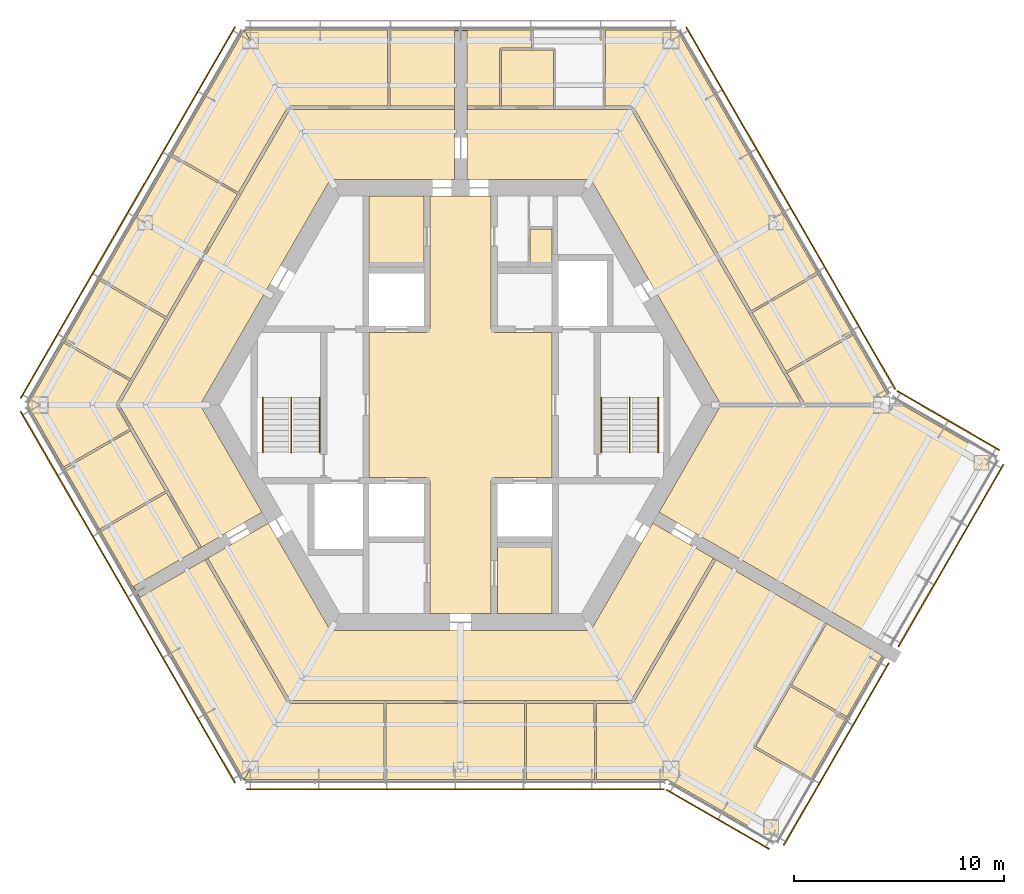
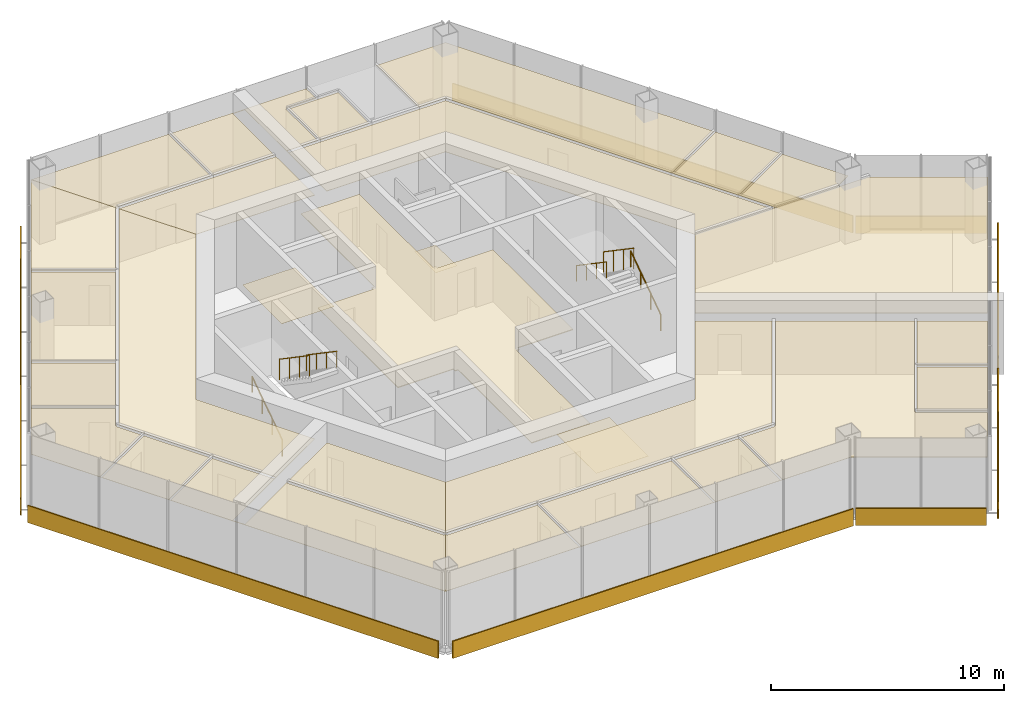
# One storey, part 12 of 13: 30 coverings, 8 shading devices, 6 railings.
"""IFC4 building model written with IfcOpenShell, lengths in metres."""

from ifc_helpers import new_model, si_unit, direction, frame, origin, origin_2d, place, context, subcontext, project, spatial, polyline, rectangle, circle, outline, extrude, material, layer, layer_set, type_object, element, save


model = new_model("IFC4")

# Units and contexts
model_context = context("Model", 3, precision=1e-05, world=origin(), true_north=direction((0.0, 1.0)))
body_context = subcontext(model_context, "Body", "Model", "MODEL_VIEW")
ifc_project = project(units=[si_unit("LENGTHUNIT", "METRE"), si_unit("AREAUNIT", "SQUARE_METRE"), si_unit("VOLUMEUNIT", "CUBIC_METRE"), si_unit("PLANEANGLEUNIT", "RADIAN"), si_unit("MASSUNIT", "GRAM", prefix="KILO")], contexts=[model_context])

# Site, building, storey
site_placement = place(None, origin())
site = spatial("IfcSite", under=ifc_project, at=site_placement, CompositionType="ELEMENT")
building_placement = place(site_placement, origin())
building = spatial("IfcBuilding", under=site, at=building_placement, Name="Kasaneha Research Tower", CompositionType="ELEMENT")
storey_placement = place(building_placement, frame((0.0, 0.0, 286.89990234375)))
storey = spatial("IfcBuildingStorey", under=building, at=storey_placement, Name="L72", CompositionType="ELEMENT", Elevation=286.89990234375)

# Covering
ifc_material_1 = material(Name="Aluminium panel ceiling", Category="aluminium")
ifc_layer_1 = layer(ifc_material_1, 0.0400390625)
ifc_layer_set_1 = layer_set([ifc_layer_1], Name="Lift lobby ceiling 40")
covering_type_1 = type_object("IfcCoveringType", Name="Lift lobby ceiling 40", PredefinedType="CEILING", material=ifc_layer_set_1)
covering_1_placement = place(storey_placement, frame((0.0, 0.0, 2.7001953125)))
element("IfcCovering", 1, at=covering_1_placement, inside=storey, type_object=covering_type_1, Name="Ceiling L72-01", PredefinedType="CEILING", context=body_context, shape_type="SweptSolid", body=[
    extrude(outline(polyline([(1.449951171875, 9.925048828125), (1.449951171875, 3.60009765625), (1.60009765625, 3.60009765625), (1.60009765625, 3.449951171875), (4.35009765625, 3.449951171875), (4.35009765625, -3.449951171875), (1.60009765625, -3.449951171875), (1.60009765625, -3.60009765625), (1.449951171875, -3.60009765625), (1.449951171875, -9.925048828125), (-1.449951171875, -9.925048828125), (-1.449951171875, -3.60009765625), (-1.60009765625, -3.60009765625), (-1.60009765625, -3.449951171875), (-4.35009765625, -3.449951171875), (-4.35009765625, 3.449951171875), (-1.60009765625, 3.449951171875), (-1.60009765625, 3.60009765625), (-1.449951171875, 3.60009765625), (-1.449951171875, 9.925048828125), (1.449951171875, 9.925048828125)])), origin(), (0.0, 0.0, 1.0), 0.039794921875),
])

# Railings
ifc_material_2 = material(Name="Steel", Category="steel")
railing_type_1 = type_object("IfcRailingType", Name="Stair balustrade 1100", PredefinedType="GUARDRAIL", material=ifc_material_2)
for number, where, name in (
    (2, (8.050048828125, 0.35009765625, 2.12744140625), "Stair 1 balustrade L72"),
    (3, (-8.050048828125, 0.35009765625, 2.12744140625), "Stair 2 balustrade L72"),
):
    element("IfcRailing", number, at=place(storey_placement, frame(where)), inside=storey, type_object=railing_type_1, Name=name, PredefinedType="GUARDRAIL", context=body_context, shape_type="SweptSolid", body=[
        extrude(circle(Radius=0.02392578125, at=origin_2d()), frame((0.0, 0.0, 1.076171875), z_axis=(0.0, -0.826240473404, 0.563317565952), x_axis=(1.0, 0.0, 0.0)), (0.0, 0.0, 1.0), 3.14697265625),
        extrude(circle(Radius=0.02099609375, at=origin_2d()), origin(), (0.0, 0.0, 1.0), 1.052001953125),
        extrude(circle(Radius=0.02099609375, at=origin_2d()), frame((0.0, -0.86669921875, 0.5908203125)), (0.0, 0.0, 1.0), 1.052001953125),
        extrude(circle(Radius=0.02099609375, at=origin_2d()), frame((0.0, -1.7333984375, 1.181884765625)), (0.0, 0.0, 1.0), 1.052001953125),
        extrude(circle(Radius=0.02099609375, at=origin_2d()), frame((0.0, -2.60009765625, 1.772705078125)), (0.0, 0.0, 1.0), 1.052001953125),
    ])
ifc_material_3 = material(Name="Steel", Category="steel")
railing_type_2 = type_object("IfcRailingType", Name="Stair handrail 850", PredefinedType="HANDRAIL", material=ifc_material_3)
railing_1_placement = place(storey_placement, frame((9.39990234375, -2.25, 0.177490234375)))
element("IfcRailing", 4, at=railing_1_placement, inside=storey, type_object=railing_type_2, Name="Stair 1 handrail L72", PredefinedType="HANDRAIL", context=body_context, shape_type="SweptSolid", body=[
    extrude(circle(Radius=0.02392578125, at=origin_2d()), frame((0.0, 0.0, 0.826171875), z_axis=(0.0, 0.826240473404, 0.563317565952), x_axis=(-1.0, 0.0, 0.0)), (0.0, 0.0, 1.0), 3.14697265625),
    extrude(circle(Radius=0.02099609375, at=origin_2d()), origin(), (0.0, 0.0, 1.0), 0.802001953125),
    extrude(circle(Radius=0.02099609375, at=origin_2d()), frame((0.0, 0.86669921875, 0.5908203125)), (0.0, 0.0, 1.0), 0.802001953125),
    extrude(circle(Radius=0.02099609375, at=origin_2d()), frame((0.0, 1.7333984375, 1.181884765625)), (0.0, 0.0, 1.0), 0.802001953125),
    extrude(circle(Radius=0.02099609375, at=origin_2d()), frame((0.0, 2.60009765625, 1.772705078125)), (0.0, 0.0, 1.0), 0.802001953125),
])
railing_2_placement = place(storey_placement, frame((6.699951171875, 0.35009765625, 2.12744140625)))
element("IfcRailing", 5, at=railing_2_placement, inside=storey, type_object=railing_type_2, Name="Stair 1 handrail L72", PredefinedType="HANDRAIL", context=body_context, shape_type="SweptSolid", body=[
    extrude(circle(Radius=0.02392578125, at=origin_2d()), frame((0.0, 0.0, 0.826171875), z_axis=(0.0, -0.826240473404, 0.563317565952), x_axis=(1.0, 0.0, 0.0)), (0.0, 0.0, 1.0), 3.14697265625),
    extrude(circle(Radius=0.02099609375, at=origin_2d()), origin(), (0.0, 0.0, 1.0), 0.802001953125),
    extrude(circle(Radius=0.02099609375, at=origin_2d()), frame((0.0, -0.86669921875, 0.5908203125)), (0.0, 0.0, 1.0), 0.802001953125),
    extrude(circle(Radius=0.02099609375, at=origin_2d()), frame((0.0, -1.7333984375, 1.181884765625)), (0.0, 0.0, 1.0), 0.802001953125),
    extrude(circle(Radius=0.02099609375, at=origin_2d()), frame((0.0, -2.60009765625, 1.772705078125)), (0.0, 0.0, 1.0), 0.802001953125),
])
railing_3_placement = place(storey_placement, frame((-9.39990234375, -2.25, 0.177490234375)))
element("IfcRailing", 6, at=railing_3_placement, inside=storey, type_object=railing_type_2, Name="Stair 2 handrail L72", PredefinedType="HANDRAIL", context=body_context, shape_type="SweptSolid", body=[
    extrude(circle(Radius=0.02392578125, at=origin_2d()), frame((0.0, 0.0, 0.826171875), z_axis=(0.0, 0.826240473404, 0.563317565952), x_axis=(-1.0, 0.0, 0.0)), (0.0, 0.0, 1.0), 3.14697265625),
    extrude(circle(Radius=0.02099609375, at=origin_2d()), origin(), (0.0, 0.0, 1.0), 0.802001953125),
    extrude(circle(Radius=0.02099609375, at=origin_2d()), frame((0.0, 0.86669921875, 0.5908203125)), (0.0, 0.0, 1.0), 0.802001953125),
    extrude(circle(Radius=0.02099609375, at=origin_2d()), frame((0.0, 1.7333984375, 1.181884765625)), (0.0, 0.0, 1.0), 0.802001953125),
    extrude(circle(Radius=0.02099609375, at=origin_2d()), frame((0.0, 2.60009765625, 1.772705078125)), (0.0, 0.0, 1.0), 0.802001953125),
])
railing_4_placement = place(storey_placement, frame((-6.699951171875, 0.35009765625, 2.12744140625)))
element("IfcRailing", 7, at=railing_4_placement, inside=storey, type_object=railing_type_2, Name="Stair 2 handrail L72", PredefinedType="HANDRAIL", context=body_context, shape_type="SweptSolid", body=[
    extrude(circle(Radius=0.02392578125, at=origin_2d()), frame((0.0, 0.0, 0.826171875), z_axis=(0.0, -0.826240473404, 0.563317565952), x_axis=(1.0, 0.0, 0.0)), (0.0, 0.0, 1.0), 3.14697265625),
    extrude(circle(Radius=0.02099609375, at=origin_2d()), origin(), (0.0, 0.0, 1.0), 0.802001953125),
    extrude(circle(Radius=0.02099609375, at=origin_2d()), frame((0.0, -0.86669921875, 0.5908203125)), (0.0, 0.0, 1.0), 0.802001953125),
    extrude(circle(Radius=0.02099609375, at=origin_2d()), frame((0.0, -1.7333984375, 1.181884765625)), (0.0, 0.0, 1.0), 0.802001953125),
    extrude(circle(Radius=0.02099609375, at=origin_2d()), frame((0.0, -2.60009765625, 1.772705078125)), (0.0, 0.0, 1.0), 0.802001953125),
])

# Coverings
ifc_material_4 = material(Name="Gypsum ceiling board", Category="gypsum")
ifc_layer_2 = layer(ifc_material_4, 0.02001953125)
ifc_layer_set_2 = layer_set([ifc_layer_2], Name="Suspended ceiling 20")
covering_type_2 = type_object("IfcCoveringType", Name="Suspended ceiling 20", PredefinedType="CEILING", material=ifc_layer_set_2)
covering_2_placement = place(storey_placement, frame((0.0, 0.0, 2.800048828125)))
element("IfcCovering", 8, at=covering_2_placement, inside=storey, type_object=covering_type_2, Name="Ceiling L72-24", PredefinedType="CEILING", context=body_context, shape_type="SweptSolid", body=[
    extrude(outline(polyline([(6.192138671875, 10.72509765625), (0.300048828125, 10.72509765625), (0.300048828125, 11.72509765625), (0.300048828125, 12.72509765625), (0.300048828125, 14.125), (0.320068359375, 14.125), (0.320068359375, 14.050048828125), (1.89501953125, 14.050048828125), (1.905029296875, 14.050048828125), (4.4599609375, 14.050048828125), (4.469970703125, 14.050048828125), (6.826416015625, 14.050048828125), (6.8359375, 14.050048828125), (8.11181640625, 14.050048828125), (13.70849609375, 4.356201171875), (13.70849609375, 4.356201171875), (15.374267578125, 1.470947265625), (15.374267578125, 1.470947265625), (16.2236328125, 0.0), (12.38427734375, 0.0), (6.192138671875, 10.72509765625)])), origin(), (0.0, 0.0, 1.0), 0.02001953125),
])
covering_3_placement = place(storey_placement, frame((0.0, 0.0, 2.800048828125)))
element("IfcCovering", 9, at=covering_3_placement, inside=storey, type_object=covering_type_2, Name="Ceiling L72-25", PredefinedType="CEILING", context=body_context, shape_type="SweptSolid", body=[
    extrude(outline(polyline([(4.41015625, 14.199951171875), (1.954833984375, 14.199951171875), (1.9501953125, 16.875), (3.410400390625, 16.875), (3.42041015625, 16.875), (4.414794921875, 16.875), (4.41015625, 14.199951171875)])), origin(), (0.0, 0.0, 1.0), 0.02001953125),
])
covering_4_placement = place(storey_placement, frame((0.0, 0.0, 2.800048828125)))
element("IfcCovering", 10, at=covering_4_placement, inside=storey, type_object=covering_type_2, Name="Ceiling L72-26", PredefinedType="CEILING", context=body_context, shape_type="SweptSolid", body=[
    extrude(outline(polyline([(18.619873046875, 3.3505859375), (18.594970703125, 3.393798828125), (15.474365234375, 1.597900390625), (13.863525390625, 4.387939453125), (16.988037109375, 6.197021484375), (16.963134765625, 6.240234375), (16.9716796875, 6.2451171875), (18.63720703125, 3.360595703125), (18.619873046875, 3.3505859375)])), origin(), (0.0, 0.0, 1.0), 0.02001953125),
])
covering_5_placement = place(storey_placement, frame((0.0, 0.0, 2.800048828125)))
element("IfcCovering", 11, at=covering_5_placement, inside=storey, type_object=covering_type_2, Name="Ceiling L72-28", PredefinedType="CEILING", context=body_context, shape_type="SweptSolid", body=[
    extrude(outline(polyline([(3.41552734375, 17.820556640625), (3.41552734375, 17.800537109375), (3.365478515625, 17.80029296875), (3.3701171875, 16.97509765625), (1.89990234375, 16.97509765625), (1.89990234375, 16.925048828125), (1.85009765625, 16.9248046875), (1.85498046875, 14.199951171875), (0.320068359375, 14.199951171875), (0.320068359375, 14.125), (0.300048828125, 14.125), (0.300048828125, 17.7705078125), (0.300048828125, 17.7705078125), (0.0, 17.7705078125), (0.0, 17.820556640625), (3.41552734375, 17.820556640625)])), origin(), (0.0, 0.0, 1.0), 0.02001953125),
])
covering_6_placement = place(storey_placement, frame((0.0, 0.0, 2.800048828125)))
element("IfcCovering", 12, at=covering_6_placement, inside=storey, type_object=covering_type_2, Name="Ceiling L72-29", PredefinedType="CEILING", context=body_context, shape_type="SweptSolid", body=[
    extrude(outline(polyline([(20.28759765625, 0.501708984375), (19.41845703125, 0.0), (16.31005859375, 0.0), (16.298583984375, 0.02001953125), (16.363525390625, 0.0576171875), (15.5244140625, 1.51123046875), (18.644775390625, 3.30712890625), (18.619873046875, 3.3505859375), (18.63720703125, 3.360595703125), (20.28759765625, 0.501708984375)])), origin(), (0.0, 0.0, 1.0), 0.02001953125),
])
covering_7_placement = place(storey_placement, frame((0.0, 0.0, 2.800048828125)))
element("IfcCovering", 13, at=covering_7_placement, inside=storey, type_object=covering_type_2, Name="Ceiling L72-30", PredefinedType="CEILING", context=body_context, shape_type="SweptSolid", body=[
    extrude(outline(polyline([(16.962890625, 6.24072265625), (16.93798828125, 6.283447265625), (13.8134765625, 4.474365234375), (8.219970703125, 14.16259765625), (8.155517578125, 14.125244140625), (8.155517578125, 14.125244140625), (8.155029296875, 14.125244140625), (8.155029296875, 14.199951171875), (6.876708984375, 14.199951171875), (6.880859375, 17.800537109375), (6.83154296875, 17.800537109375), (6.83154296875, 17.820556640625), (10.28857421875, 17.820556640625), (16.971435546875, 6.24560546875), (16.962890625, 6.24072265625)])), origin(), (0.0, 0.0, 1.0), 0.02001953125),
])
covering_8_placement = place(storey_placement, frame((0.0, 0.0, 2.800048828125)))
element("IfcCovering", 14, at=covering_8_placement, inside=storey, type_object=covering_type_2, Name="Ceiling L72-31", PredefinedType="CEILING", context=body_context, shape_type="SweptSolid", body=[
    extrude(outline(polyline([(-0.300048828125, 11.72509765625), (-0.300048828125, 10.72509765625), (-6.192138671875, 10.72509765625), (-8.11181640625, 14.050048828125), (-8.11181640625, 14.050048828125), (-3.42041015625, 14.050048828125), (-3.410888671875, 14.050048828125), (-0.320068359375, 14.050048828125), (-0.320068359375, 14.125), (-0.300048828125, 14.125), (-0.300048828125, 12.72509765625), (-0.300048828125, 11.72509765625)])), origin(), (0.0, 0.0, 1.0), 0.02001953125),
])
covering_9_placement = place(storey_placement, frame((0.0, 0.0, 2.800048828125)))
element("IfcCovering", 15, at=covering_9_placement, inside=storey, type_object=covering_type_2, Name="Ceiling L72-32", PredefinedType="CEILING", context=body_context, shape_type="SweptSolid", body=[
    extrude(outline(polyline([(0.0, 17.7705078125), (-0.300048828125, 17.7705078125), (-0.300048828125, 17.7705078125), (-0.300048828125, 14.125), (-0.320068359375, 14.125), (-0.320068359375, 14.199951171875), (-3.361083984375, 14.199951171875), (-3.365478515625, 17.800537109375), (-3.41552734375, 17.800537109375), (-3.41552734375, 17.820556640625), (0.0, 17.820556640625), (0.0, 17.7705078125)])), origin(), (0.0, 0.0, 1.0), 0.02001953125),
])
covering_10_placement = place(storey_placement, frame((0.0, 0.0, 2.800048828125)))
element("IfcCovering", 16, at=covering_10_placement, inside=storey, type_object=covering_type_2, Name="Ceiling L72-33", PredefinedType="CEILING", context=body_context, shape_type="SweptSolid", body=[
    extrude(outline(polyline([(-3.416015625, 17.800537109375), (-3.465576171875, 17.800537109375), (-3.461181640625, 14.199951171875), (-8.132080078125, 14.199951171875), (-8.132080078125, 14.12548828125), (-8.1552734375, 14.12548828125), (-10.28857421875, 17.820556640625), (-3.416015625, 17.820556640625), (-3.416015625, 17.800537109375)])), origin(), (0.0, 0.0, 1.0), 0.02001953125),
])
covering_11_placement = place(storey_placement, frame((0.0, 0.0, 2.800048828125)))
element("IfcCovering", 17, at=covering_11_placement, inside=storey, type_object=covering_type_2, Name="Ceiling L72-34", PredefinedType="CEILING", context=body_context, shape_type="SweptSolid", body=[
    extrude(outline(polyline([(-12.38427734375, 0.0), (-9.438232421875, -5.102783203125), (-10.30419921875, -5.602783203125), (-10.30419921875, -5.602783203125), (-11.170166015625, -6.102783203125), (-11.170166015625, -6.102783203125), (-12.382568359375, -6.802734375), (-12.392578125, -6.785400390625), (-12.32763671875, -6.747802734375), (-13.872802734375, -4.0712890625), (-13.872802734375, -4.0712890625), (-15.580810546875, -1.113037109375), (-15.580810546875, -1.113037109375), (-16.223388671875, 0.0), (-15.580810546875, 1.113037109375), (-15.580810546875, 1.113037109375), (-13.872802734375, 4.0712890625), (-13.872802734375, 4.071533203125), (-10.457763671875, 9.98681640625), (-10.457763671875, 9.98681640625), (-8.11181640625, 14.050048828125), (-6.192138671875, 10.72509765625), (-12.38427734375, 0.0)])), origin(), (0.0, 0.0, 1.0), 0.02001953125),
])
covering_12_placement = place(storey_placement, frame((0.0, 0.0, 2.800048828125)))
element("IfcCovering", 18, at=covering_12_placement, inside=storey, type_object=covering_type_2, Name="Ceiling L72-35", PredefinedType="CEILING", context=body_context, shape_type="SweptSolid", body=[
    extrude(outline(polyline([(-8.15478515625, 14.12548828125), (-8.166748046875, 14.10498046875), (-8.2314453125, 14.142578125), (-10.562744140625, 10.10498046875), (-13.691650390625, 11.906494140625), (-13.716552734375, 11.86328125), (-13.725341796875, 11.8681640625), (-10.28857421875, 17.821044921875), (-8.15478515625, 14.12548828125)])), origin(), (0.0, 0.0, 1.0), 0.02001953125),
])
covering_13_placement = place(storey_placement, frame((0.0, 0.0, 2.800048828125)))
element("IfcCovering", 19, at=covering_13_placement, inside=storey, type_object=covering_type_2, Name="Ceiling L72-36", PredefinedType="CEILING", context=body_context, shape_type="SweptSolid", body=[
    extrude(outline(polyline([(-18.83984375, -2.989501953125), (-18.81494140625, -3.03271484375), (-15.685791015625, -1.2314453125), (-14.03271484375, -4.094482421875), (-17.1484375, -5.899169921875), (-17.12353515625, -5.9423828125), (-17.140869140625, -5.952392578125), (-18.848388671875, -2.994384765625), (-18.83984375, -2.989501953125)])), origin(), (0.0, 0.0, 1.0), 0.02001953125),
])
covering_14_placement = place(storey_placement, frame((0.0, 0.0, 2.800048828125)))
element("IfcCovering", 20, at=covering_14_placement, inside=storey, type_object=covering_type_2, Name="Ceiling L72-37", PredefinedType="CEILING", context=body_context, shape_type="SweptSolid", body=[
    extrude(outline(polyline([(-15.539794921875, -8.62548828125), (-15.539794921875, -8.62548828125), (-15.3896484375, -8.88525390625), (-15.43310546875, -8.91015625), (-17.140869140625, -5.952392578125), (-17.12353515625, -5.9423828125), (-17.098388671875, -5.985595703125), (-13.982666015625, -4.18115234375), (-12.45751953125, -6.822998046875), (-12.392578125, -6.785400390625), (-12.382568359375, -6.802734375), (-12.122802734375, -6.652587890625), (-15.539794921875, -8.62548828125), (-15.539794921875, -8.62548828125)])), origin(), (0.0, 0.0, 1.0), 0.02001953125),
])
covering_15_placement = place(storey_placement, frame((0.0, 0.0, 2.800048828125)))
element("IfcCovering", 21, at=covering_15_placement, inside=storey, type_object=covering_type_2, Name="Ceiling L72-38", PredefinedType="CEILING", context=body_context, shape_type="SweptSolid", body=[
    extrude(outline(polyline([(-17.12353515625, 5.9423828125), (-17.1484375, 5.899169921875), (-14.032470703125, 4.094970703125), (-15.685791015625, 1.2314453125), (-18.81494140625, 3.03271484375), (-18.83984375, 2.989501953125), (-18.848388671875, 2.994384765625), (-17.140869140625, 5.952392578125), (-17.12353515625, 5.9423828125)])), origin(), (0.0, 0.0, 1.0), 0.02001953125),
])
covering_16_placement = place(storey_placement, frame((0.0, 0.0, 2.800048828125)))
element("IfcCovering", 22, at=covering_16_placement, inside=storey, type_object=covering_type_2, Name="Ceiling L72-39", PredefinedType="CEILING", context=body_context, shape_type="SweptSolid", body=[
    extrude(outline(polyline([(-17.140380859375, 5.952880859375), (-13.7255859375, 11.86767578125), (-13.716796875, 11.86279296875), (-13.74169921875, 11.81982421875), (-10.612548828125, 10.018310546875), (-13.982421875, 4.181640625), (-17.098388671875, 5.985595703125), (-17.123291015625, 5.94287109375), (-17.140380859375, 5.952880859375)])), origin(), (0.0, 0.0, 1.0), 0.02001953125),
])
covering_17_placement = place(storey_placement, frame((0.0, 0.0, 2.800048828125)))
element("IfcCovering", 23, at=covering_17_placement, inside=storey, type_object=covering_type_2, Name="Ceiling L72-40", PredefinedType="CEILING", context=body_context, shape_type="SweptSolid", body=[
    extrude(outline(polyline([(-18.840087890625, 2.989013671875), (-18.86474609375, 2.9462890625), (-15.73583984375, 1.144775390625), (-16.375, 0.03759765625), (-16.310546875, 0.000244140625), (-16.310546875, 0.0), (-16.310546875, -0.000244140625), (-16.375, -0.03759765625), (-15.73583984375, -1.144775390625), (-18.86474609375, -2.9462890625), (-18.840087890625, -2.989013671875), (-18.8486328125, -2.994140625), (-20.577392578125, 0.0), (-18.8486328125, 2.994140625), (-18.840087890625, 2.989013671875)])), origin(), (0.0, 0.0, 1.0), 0.02001953125),
])
covering_18_placement = place(storey_placement, frame((0.0, 0.0, 2.800048828125)))
element("IfcCovering", 24, at=covering_18_placement, inside=storey, type_object=covering_type_2, Name="Ceiling L72-41", PredefinedType="CEILING", context=body_context, shape_type="SweptSolid", body=[
    extrude(outline(polyline([(-10.8701171875, -6.622314453125), (-10.004150390625, -6.122314453125), (-10.004150390625, -6.122314453125), (-9.13818359375, -5.622314453125), (-6.192138671875, -10.72509765625), (-8.11181640625, -14.050048828125), (-12.007568359375, -7.302001953125), (-12.072509765625, -7.339599609375), (-12.08251953125, -7.322265625), (-10.8701171875, -6.622314453125), (-10.8701171875, -6.622314453125)])), origin(), (0.0, 0.0, 1.0), 0.02001953125),
])
covering_19_placement = place(storey_placement, frame((0.0, 0.0, 2.800048828125)))
element("IfcCovering", 25, at=covering_19_placement, inside=storey, type_object=covering_type_2, Name="Ceiling L72-42", PredefinedType="CEILING", context=body_context, shape_type="SweptSolid", body=[
    extrude(outline(polyline([(-12.072998046875, -7.33984375), (-12.137451171875, -7.377197265625), (-8.2314453125, -14.142578125), (-8.1669921875, -14.105224609375), (-8.1552734375, -14.12548828125), (-10.28857421875, -17.820556640625), (-15.43310546875, -8.91015625), (-15.3896484375, -8.88525390625), (-15.23974609375, -9.14501953125), (-15.23974609375, -9.14501953125), (-15.23974609375, -9.14501953125), (-12.0830078125, -7.322509765625), (-12.072998046875, -7.33984375)])), origin(), (0.0, 0.0, 1.0), 0.02001953125),
])
covering_20_placement = place(storey_placement, frame((0.0, 0.0, 2.800048828125)))
element("IfcCovering", 26, at=covering_20_placement, inside=storey, type_object=covering_type_2, Name="Ceiling L72-43", PredefinedType="CEILING", context=body_context, shape_type="SweptSolid", body=[
    extrude(outline(polyline([(11.170166015625, -6.102783203125), (10.30419921875, -5.602783203125), (10.227783203125, -5.55859375), (9.438232421875, -5.102783203125), (12.38427734375, 0.0), (16.2236328125, 0.0), (16.233642578125, -0.017578125), (16.263916015625, 0.0), (21.0, 0.0), (25.446044921875, -2.56689453125), (20.34619140625, -11.400390625), (12.1259765625, -6.654541015625), (11.170166015625, -6.102783203125)])), origin(), (0.0, 0.0, 1.0), 0.02001953125),
])
covering_21_placement = place(storey_placement, frame((0.0, 0.0, 2.800048828125)))
element("IfcCovering", 27, at=covering_21_placement, inside=storey, type_object=covering_type_2, Name="Ceiling L72-44", PredefinedType="CEILING", context=body_context, shape_type="SweptSolid", body=[
    extrude(outline(polyline([(-6.192138671875, -10.72509765625), (6.192138671875, -10.72509765625), (9.13818359375, -5.622314453125), (10.004150390625, -6.122314453125), (10.004150390625, -6.122314453125), (10.8701171875, -6.622314453125), (10.8701171875, -6.622314453125), (12.08251953125, -7.322265625), (12.072509765625, -7.339599609375), (12.007568359375, -7.302001953125), (8.11181640625, -14.050048828125), (6.413330078125, -14.050048828125), (6.40380859375, -14.050048828125), (3.081787109375, -14.050048828125), (3.072509765625, -14.050048828125), (-3.57958984375, -14.050048828125), (-3.589111328125, -14.050048828125), (-8.11181640625, -14.050048828125), (-8.11181640625, -14.050048828125), (-6.192138671875, -10.72509765625)])), origin(), (0.0, 0.0, 1.0), 0.02001953125),
])
covering_22_placement = place(storey_placement, frame((0.0, 0.0, 2.800048828125)))
element("IfcCovering", 28, at=covering_22_placement, inside=storey, type_object=covering_type_2, Name="Ceiling L72-45", PredefinedType="CEILING", context=body_context, shape_type="SweptSolid", body=[
    extrude(outline(polyline([(3.077392578125, -17.800537109375), (3.12744140625, -17.800537109375), (3.131591796875, -14.199951171875), (6.35400390625, -14.199951171875), (6.3583984375, -17.800537109375), (6.408203125, -17.800537109375), (6.408203125, -17.820556640625), (3.077392578125, -17.820556640625), (3.077392578125, -17.800537109375)])), origin(), (0.0, 0.0, 1.0), 0.02001953125),
])
covering_23_placement = place(storey_placement, frame((0.0, 0.0, 2.800048828125)))
element("IfcCovering", 29, at=covering_23_placement, inside=storey, type_object=covering_type_2, Name="Ceiling L72-46", PredefinedType="CEILING", context=body_context, shape_type="SweptSolid", body=[
    extrude(outline(polyline([(-8.15576171875, -14.125), (-8.132080078125, -14.125), (-8.132080078125, -14.199951171875), (-3.638916015625, -14.199951171875), (-3.634521484375, -17.800537109375), (-3.58447265625, -17.800537109375), (-3.58447265625, -17.820556640625), (-10.2890625, -17.820556640625), (-8.15576171875, -14.125)])), origin(), (0.0, 0.0, 1.0), 0.02001953125),
])
covering_24_placement = place(storey_placement, frame((0.0, 0.0, 2.800048828125)))
element("IfcCovering", 30, at=covering_24_placement, inside=storey, type_object=covering_type_2, Name="Ceiling L72-47", PredefinedType="CEILING", context=body_context, shape_type="SweptSolid", body=[
    extrude(outline(polyline([(16.646240234375, -17.80908203125), (16.62890625, -17.799072265625), (16.65380859375, -17.755615234375), (14.02978515625, -16.24072265625), (15.68115234375, -13.389404296875), (18.303955078125, -14.89794921875), (18.328857421875, -14.8544921875), (18.34619140625, -14.864501953125), (16.646240234375, -17.80908203125)])), origin(), (0.0, 0.0, 1.0), 0.02001953125),
])
covering_25_placement = place(storey_placement, frame((0.0, 0.0, 2.800048828125)))
element("IfcCovering", 31, at=covering_25_placement, inside=storey, type_object=covering_type_2, Name="Ceiling L72-48", PredefinedType="CEILING", context=body_context, shape_type="SweptSolid", body=[
    extrude(outline(polyline([(18.34619140625, -14.864501953125), (18.328857421875, -14.8544921875), (18.353759765625, -14.811279296875), (15.731201171875, -13.302734375), (17.394775390625, -10.412353515625), (17.3515625, -10.387451171875), (17.361572265625, -10.3701171875), (20.046142578125, -11.920166015625), (18.34619140625, -14.864501953125)])), origin(), (0.0, 0.0, 1.0), 0.02001953125),
])
covering_26_placement = place(storey_placement, frame((0.0, 0.0, 2.800048828125)))
element("IfcCovering", 32, at=covering_26_placement, inside=storey, type_object=covering_type_2, Name="Ceiling L72-49", PredefinedType="CEILING", context=body_context, shape_type="SweptSolid", body=[
    extrude(outline(polyline([(13.96142578125, -16.25927734375), (13.9365234375, -16.30224609375), (16.603759765625, -17.84228515625), (16.62841796875, -17.799560546875), (16.64599609375, -17.8095703125), (14.946044921875, -20.75341796875), (9.865966796875, -17.820556640625), (6.40869140625, -17.820556640625), (6.40869140625, -17.800537109375), (6.458251953125, -17.800537109375), (6.453857421875, -14.199951171875), (8.155029296875, -14.199951171875), (8.155029296875, -14.125244140625), (8.155517578125, -14.125244140625), (8.155517578125, -14.125244140625), (8.219970703125, -14.16259765625), (12.137451171875, -7.377197265625), (12.072998046875, -7.33984375), (12.0830078125, -7.322509765625), (17.361083984375, -10.369873046875), (17.35107421875, -10.38720703125), (17.30810546875, -10.362548828125), (15.6220703125, -13.291748046875), (13.918212890625, -16.23388671875), (13.961181640625, -16.2587890625), (13.9609375, -16.259033203125), (13.96142578125, -16.25927734375)])), origin(), (0.0, 0.0, 1.0), 0.02001953125),
])
covering_27_placement = place(storey_placement, frame((0.0, 0.0, 2.800048828125)))
element("IfcCovering", 33, at=covering_27_placement, inside=storey, type_object=covering_type_2, Name="Ceiling L72-50", PredefinedType="CEILING", context=body_context, shape_type="SweptSolid", body=[
    extrude(outline(polyline([(3.076904296875, -17.820556640625), (-3.583984375, -17.820556640625), (-3.583984375, -17.800537109375), (-3.534423828125, -17.800537109375), (-3.538818359375, -14.199951171875), (3.03173828125, -14.199951171875), (3.02734375, -17.800537109375), (3.076904296875, -17.800537109375), (3.076904296875, -17.820556640625)])), origin(), (0.0, 0.0, 1.0), 0.02001953125),
])

# Shading devices
ifc_material_5 = material(Name="Terracotta", Category="masonry")
ifc_layer_3 = layer(ifc_material_5, 0.06005859375)
ifc_layer_set_3 = layer_set([ifc_layer_3], Name="Terracotta baguette screen")
shading_device_type = type_object("IfcShadingDeviceType", Name="Terracotta baguette screen", PredefinedType="USERDEFINED", material=ifc_layer_set_3)
shading_device_1_placement = place(storey_placement, frame((15.696044921875, 9.35498046875, -0.449951171875), z_axis=(0.0, 0.0, 1.0), x_axis=(-0.499999979232, 0.866025415775, 0.0)))
element("IfcShadingDevice", 34, at=shading_device_1_placement, inside=storey, type_object=shading_device_type, Name="Baguette screen L72 01", ObjectType="TERRACOTTA BAGUETTE SCREEN", PredefinedType="USERDEFINED", context=body_context, shape_type="SweptSolid", body=[
    extrude(rectangle(XDim=19.8857421875, YDim=0.06005859375, at=origin_2d()), origin(), (0.0, 0.0, 1.0), 0.89990234375),
])
for number, where, z_axis, x_axis, name in (
    (35, (-15.82275390625, 9.13525390625, -0.449951171875), (0.0, 0.0, 1.0), (-0.499999995722, -0.866025406254, 0.0), "Baguette screen L72 03"),
    (36, (-15.82275390625, -9.13525390625, -0.449951171875), (0.0, 0.0, 1.0), (0.499999995722, -0.866025406254, 0.0), "Baguette screen L72 04"),
):
    element("IfcShadingDevice", number, at=place(storey_placement, frame(where, z_axis=z_axis, x_axis=x_axis)), inside=storey, type_object=shading_device_type, Name=name, ObjectType="TERRACOTTA BAGUETTE SCREEN", PredefinedType="USERDEFINED", context=body_context, shape_type="SweptSolid", body=[
        extrude(rectangle(XDim=20.392822265625, YDim=0.06005859375, at=origin_2d()), origin(), (0.0, 0.0, 1.0), 0.89990234375),
    ])
shading_device_2_placement = place(storey_placement, frame((-0.253662109375, -18.2705078125, -0.449951171875), z_axis=(0.0, 0.0, 1.0), x_axis=(1.0, 0.0, 0.0)))
element("IfcShadingDevice", 37, at=shading_device_2_placement, inside=storey, type_object=shading_device_type, Name="Baguette screen L72 05", ObjectType="TERRACOTTA BAGUETTE SCREEN", PredefinedType="USERDEFINED", context=body_context, shape_type="SweptSolid", body=[
    extrude(rectangle(XDim=19.8857421875, YDim=0.06005859375, at=origin_2d()), origin(), (0.0, 0.0, 1.0), 0.89990234375),
])
shading_device_3_placement = place(storey_placement, frame((12.236083984375, -19.70849609375, -0.449951171875), z_axis=(0.0, 0.0, 1.0), x_axis=(0.866025443395, -0.499999931393, 0.0)))
element("IfcShadingDevice", 38, at=shading_device_3_placement, inside=storey, type_object=shading_device_type, Name="Baguette screen L72 06", ObjectType="TERRACOTTA BAGUETTE SCREEN", PredefinedType="USERDEFINED", context=body_context, shape_type="SweptSolid", body=[
    extrude(rectangle(XDim=5.63916015625, YDim=0.06005859375, at=origin_2d()), origin(), (0.0, 0.0, 1.0), 0.89990234375),
])
for number, where, z_axis, x_axis, name in (
    (39, (17.86083984375, -16.60498046875, -0.449951171875), (0.0, 0.0, 1.0), (0.500000011442, 0.866025397178, 0.0), "Baguette screen L72 07"),
    (40, (23.310791015625, -7.16552734375, -0.449951171875), (0.0, 0.0, 1.0), (0.500000011442, 0.866025397178, 0.0), "Baguette screen L72 08"),
):
    element("IfcShadingDevice", number, at=place(storey_placement, frame(where, z_axis=z_axis, x_axis=x_axis)), inside=storey, type_object=shading_device_type, Name=name, ObjectType="TERRACOTTA BAGUETTE SCREEN", PredefinedType="USERDEFINED", context=body_context, shape_type="SweptSolid", body=[
        extrude(rectangle(XDim=10.0, YDim=0.06005859375, at=origin_2d()), origin(), (0.0, 0.0, 1.0), 0.89990234375),
    ])
shading_device_4_placement = place(storey_placement, frame((23.18603515625, -0.742431640625, -0.449951171875), z_axis=(0.0, 0.0, 1.0), x_axis=(-0.866025443395, 0.499999931393, 0.0)))
element("IfcShadingDevice", 41, at=shading_device_4_placement, inside=storey, type_object=shading_device_type, Name="Baguette screen L72 09", ObjectType="TERRACOTTA BAGUETTE SCREEN", PredefinedType="USERDEFINED", context=body_context, shape_type="SweptSolid", body=[
    extrude(rectangle(XDim=5.63916015625, YDim=0.06005859375, at=origin_2d()), origin(), (0.0, 0.0, 1.0), 0.89990234375),
])

# Coverings
ifc_material_6 = material(Name="Vinyl sheet flooring", Category="plastic")
ifc_layer_4 = layer(ifc_material_6, 0.0048828125)
ifc_layer_set_4 = layer_set([ifc_layer_4], Name="Wet room sheet flooring 5")
covering_type_3 = type_object("IfcCoveringType", Name="Wet room sheet flooring 5", PredefinedType="FLOORING", material=ifc_layer_set_4)
covering_28_placement = place(storey_placement, origin())
element("IfcCovering", 42, at=covering_28_placement, inside=storey, type_object=covering_type_3, Name="Floor finish L72-06", PredefinedType="FLOORING", context=body_context, shape_type="SweptSolid", body=[
    extrude(outline(polyline([(-1.75, 9.925048828125), (-1.75, 6.550048828125), (-4.35009765625, 6.550048828125), (-4.35009765625, 9.925048828125), (-1.75, 9.925048828125)])), origin(), (0.0, 0.0, 1.0), 0.005126953125),
])
covering_29_placement = place(storey_placement, origin())
element("IfcCovering", 43, at=covering_29_placement, inside=storey, type_object=covering_type_3, Name="Floor finish L72-08", PredefinedType="FLOORING", context=body_context, shape_type="SweptSolid", body=[
    extrude(outline(polyline([(3.300048828125, 6.550048828125), (3.300048828125, 8.375), (4.35009765625, 8.375), (4.35009765625, 7.0), (4.35009765625, 6.550048828125), (3.300048828125, 6.550048828125)])), origin(), (0.0, 0.0, 1.0), 0.005126953125),
])
covering_30_placement = place(storey_placement, origin())
element("IfcCovering", 44, at=covering_30_placement, inside=storey, type_object=covering_type_3, Name="Floor finish L72-11", PredefinedType="FLOORING", context=body_context, shape_type="SweptSolid", body=[
    extrude(outline(polyline([(1.75, -9.925048828125), (1.75, -6.550048828125), (4.35009765625, -6.550048828125), (4.35009765625, -9.925048828125), (1.75, -9.925048828125)])), origin(), (0.0, 0.0, 1.0), 0.005126953125),
])

save(model, "model.ifc")
